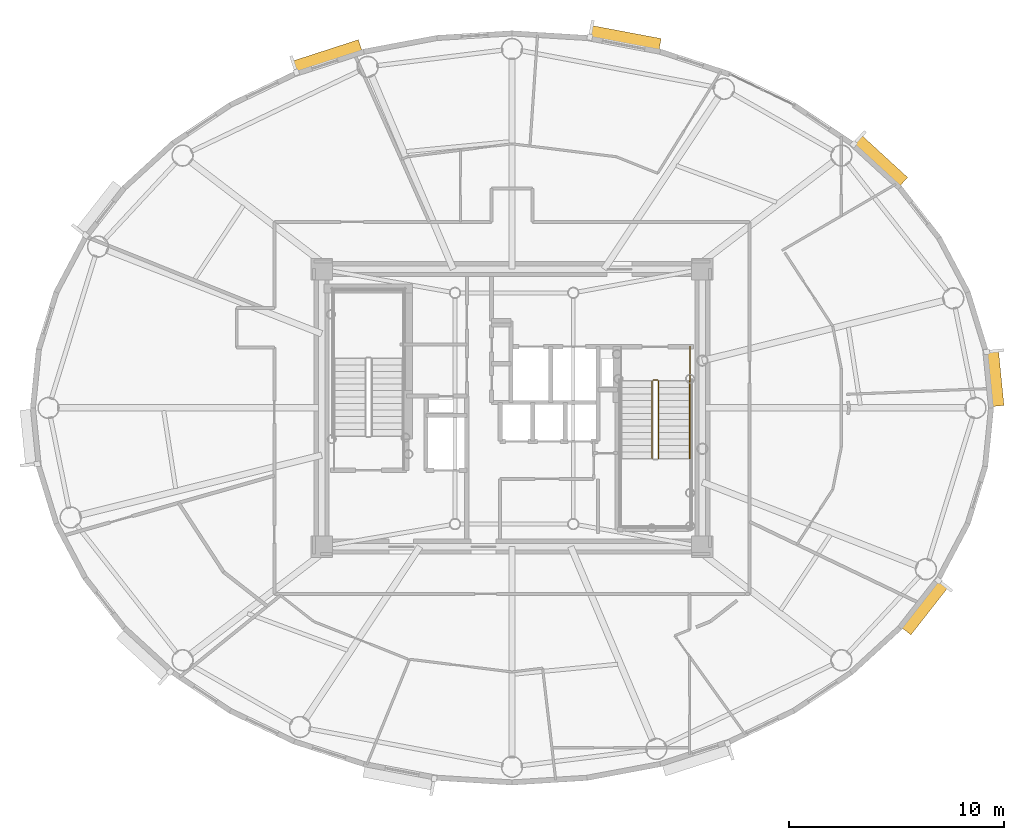
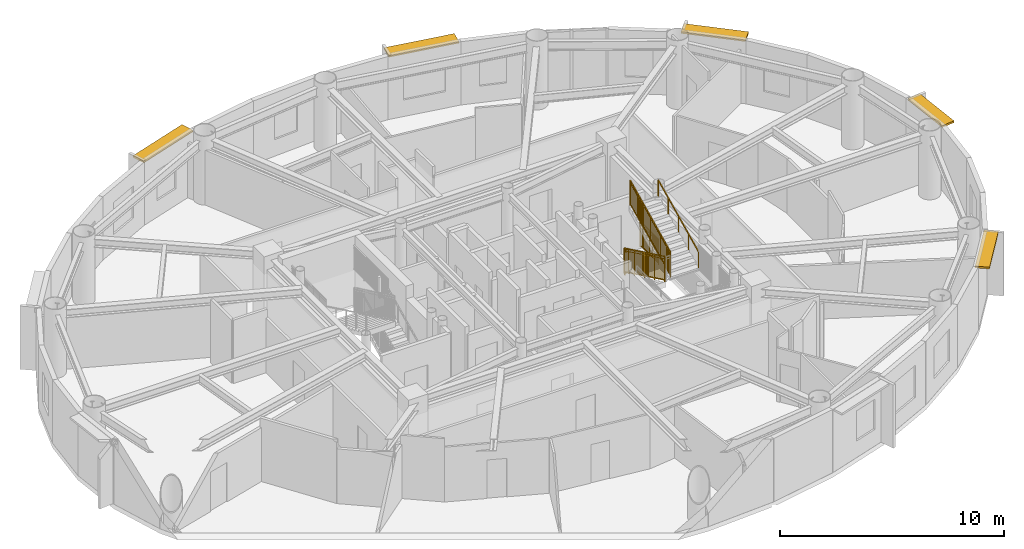
# One storey, part 17 of 17: 5 railings, 5 shading devices.
"""IFC4 building model written with IfcOpenShell, lengths in metres."""

from ifc_helpers import new_model, si_unit, direction, frame, origin, origin_2d, place, context, subcontext, project, spatial, rectangle, extrude, source, transform, mapped, material, layer, layer_set, type_object, element, save


model = new_model("IFC4")

# Units and contexts
model_context = context("Model", 3, precision=1e-05, world=origin(), true_north=direction((0.0, 1.0)))
body_context = subcontext(model_context, "Body", "Model", "MODEL_VIEW")
ifc_project = project(units=[si_unit("LENGTHUNIT", "METRE"), si_unit("AREAUNIT", "SQUARE_METRE"), si_unit("VOLUMEUNIT", "CUBIC_METRE"), si_unit("PLANEANGLEUNIT", "RADIAN"), si_unit("MASSUNIT", "GRAM", prefix="KILO")], contexts=[model_context])

# Site, building, storey
site_placement = place(None, origin())
site = spatial("IfcSite", under=ifc_project, at=site_placement, CompositionType="ELEMENT")
building_placement = place(site_placement, origin())
building = spatial("IfcBuilding", under=site, at=building_placement, Name="Linh Dai School and Residence Tower", CompositionType="ELEMENT")
storey_placement = place(building_placement, frame((0.0, 0.0, 314.25)))
storey = spatial("IfcBuildingStorey", under=building, at=storey_placement, Name="L78", CompositionType="ELEMENT", Elevation=314.25)

# Shading devices
ifc_material_1 = material(Name="Terracotta Ceramic Sunshade", Category="masonry")
ifc_layer = layer(ifc_material_1, 0.10009765625)
ifc_layer_set = layer_set([ifc_layer], Name="Terracotta Ceramic Sunshade")
shading_device_type = type_object("IfcShadingDeviceType", Name="SHD-TC-650", PredefinedType="USERDEFINED", material=ifc_layer_set)
shared_shape_1 = source(origin(), body_context, "Body", "SweptSolid", [
    extrude(rectangle(XDim=2.62353515625, YDim=0.64990234375, at=origin_2d()), origin(), (0.0, 0.0, 1.0), 0.10009765625),
])
shading_device_1_placement = place(storey_placement, frame((58.421875, 28.387939453125, 3.329833984375), z_axis=(0.0, 0.0, 1.0), x_axis=(0.100008034283, -0.994986629598, 0.0)))
element("IfcShadingDevice", 1, at=shading_device_1_placement, inside=storey, type_object=shading_device_type, Name="L78 Terracotta Horizontal Sunshade Band 01", ObjectType="SUNSHADE", PredefinedType="USERDEFINED", context=body_context, shape_type="MappedRepresentation", body=[
    mapped(shared_shape_1, transform((0.0, 0.0, 0.0), x_axis=(1.0, 0.0, 0.0), y_axis=(0.0, 1.0, 0.0), z_axis=(0.0, 0.0, 1.0), scale=1.0)),
])
shared_shape_2 = source(origin(), body_context, "Body", "SweptSolid", [
    extrude(rectangle(XDim=2.9541015625, YDim=0.64990234375, at=origin_2d()), origin(), (0.0, 0.0, 1.0), 0.10009765625),
])
shading_device_2_placement = place(storey_placement, frame((53.0888671875, 38.474609375, 3.329833984375), z_axis=(0.0, 0.0, 1.0), x_axis=(0.737105846394, -0.67577730889, 0.0)))
element("IfcShadingDevice", 2, at=shading_device_2_placement, inside=storey, type_object=shading_device_type, Name="L78 Terracotta Horizontal Sunshade Band 05", ObjectType="SUNSHADE", PredefinedType="USERDEFINED", context=body_context, shape_type="MappedRepresentation", body=[
    mapped(shared_shape_2, transform((0.0, 0.0, 0.0), x_axis=(1.0, 0.0, 0.0), y_axis=(0.0, 1.0, 0.0), z_axis=(0.0, 0.0, 1.0), scale=1.0)),
])
shared_shape_3 = source(origin(), body_context, "Body", "SweptSolid", [
    extrude(rectangle(XDim=3.323486328125, YDim=0.64990234375, at=origin_2d()), origin(), (0.0, 0.0, 1.0), 0.10009765625),
])
shading_device_3_placement = place(storey_placement, frame((41.24267578125, 44.160400390625, 3.329833984375), z_axis=(0.0, 0.0, 1.0), x_axis=(0.982785325002, -0.184751197452, 0.0)))
element("IfcShadingDevice", 3, at=shading_device_3_placement, inside=storey, type_object=shading_device_type, Name="L78 Terracotta Horizontal Sunshade Band 09", ObjectType="SUNSHADE", PredefinedType="USERDEFINED", context=body_context, shape_type="MappedRepresentation", body=[
    mapped(shared_shape_3, transform((0.0, 0.0, 0.0), x_axis=(1.0, 0.0, 0.0), y_axis=(0.0, 1.0, 0.0), z_axis=(0.0, 0.0, 1.0), scale=1.0)),
])
shared_shape_4 = source(origin(), body_context, "Body", "SweptSolid", [
    extrude(rectangle(XDim=3.26171875, YDim=0.64990234375, at=origin_2d()), origin(), (0.0, 0.0, 1.0), 0.10009765625),
])
shading_device_4_placement = place(storey_placement, frame((27.405029296875, 43.307373046875, 3.329833984375), z_axis=(0.0, 0.0, 1.0), x_axis=(0.951218243545, 0.308518805176, 0.0)))
element("IfcShadingDevice", 4, at=shading_device_4_placement, inside=storey, type_object=shading_device_type, Name="L78 Terracotta Horizontal Sunshade Band 13", ObjectType="SUNSHADE", PredefinedType="USERDEFINED", context=body_context, shape_type="MappedRepresentation", body=[
    mapped(shared_shape_4, transform((0.0, 0.0, 0.0), x_axis=(1.0, 0.0, 0.0), y_axis=(0.0, 1.0, 0.0), z_axis=(0.0, 0.0, 1.0), scale=1.0)),
])
shared_shape_5 = source(origin(), body_context, "Body", "SweptSolid", [
    extrude(rectangle(XDim=2.84033203125, YDim=0.64990234375, at=origin_2d()), origin(), (0.0, 0.0, 1.0), 0.10009765625),
])
shading_device_5_placement = place(storey_placement, frame((55.16650390625, 17.7646484375, 3.329833984375), z_axis=(0.0, 0.0, 1.0), x_axis=(-0.616310813471, -0.78750300393, 0.0)))
element("IfcShadingDevice", 5, at=shading_device_5_placement, inside=storey, type_object=shading_device_type, Name="L78 Terracotta Horizontal Sunshade Band 37", ObjectType="SUNSHADE", PredefinedType="USERDEFINED", context=body_context, shape_type="MappedRepresentation", body=[
    mapped(shared_shape_5, transform((0.0, 0.0, 0.0), x_axis=(1.0, 0.0, 0.0), y_axis=(0.0, 1.0, 0.0), z_axis=(0.0, 0.0, 1.0), scale=1.0)),
])

# Railings
ifc_material_2 = material(Name="Structural Steel S355JR", Category="steel")
railing_type_1 = type_object("IfcRailingType", Name="RL-ST-GUARD-1400", PredefinedType="GUARDRAIL", material=ifc_material_2)
shared_shape_6 = source(origin(), body_context, "Body", "SweptSolid", [
    extrude(rectangle(XDim=0.048095703125, YDim=0.048095703125, at=origin_2d()), frame((0.0, 0.0, 1.3759765625), z_axis=(0.0, 0.901262522062, 0.433273431364), x_axis=(-1.0, 0.0, 0.0)), (0.0, 0.0, 1.0), 3.994384765625),
    extrude(rectangle(XDim=0.048095703125, YDim=0.048095703125, at=origin_2d()), frame((0.0, 0.0, 0.10009765625), z_axis=(0.0, 0.901262522062, 0.433273431364), x_axis=(-1.0, 0.0, 0.0)), (0.0, 0.0, 1.0), 3.994384765625),
    extrude(rectangle(XDim=0.030029296875, YDim=0.030029296875, at=origin_2d()), frame((0.0, 0.0, 1.239990234375), z_axis=(0.0, 0.901262522062, 0.433273431364), x_axis=(-1.0, 0.0, 0.0)), (0.0, 0.0, 1.0), 3.994384765625),
    extrude(rectangle(XDim=0.02001953125, YDim=0.02001953125, at=origin_2d()), frame((0.0, 0.087890625, 0.142333984375)), (0.0, 0.0, 1.0), 1.251708984375),
    extrude(rectangle(XDim=0.02001953125, YDim=0.02001953125, at=origin_2d()), frame((0.0, 0.175537109375, 0.1845703125)), (0.0, 0.0, 1.0), 1.251708984375),
    extrude(rectangle(XDim=0.02001953125, YDim=0.02001953125, at=origin_2d()), frame((0.0, 0.263427734375, 0.226806640625)), (0.0, 0.0, 1.0), 1.251708984375),
    extrude(rectangle(XDim=0.02001953125, YDim=0.02001953125, at=origin_2d()), frame((0.0, 0.351318359375, 0.26904296875)), (0.0, 0.0, 1.0), 1.251708984375),
    extrude(rectangle(XDim=0.02001953125, YDim=0.02001953125, at=origin_2d()), frame((0.0, 0.43896484375, 0.311279296875)), (0.0, 0.0, 1.0), 1.251708984375),
    extrude(rectangle(XDim=0.02001953125, YDim=0.02001953125, at=origin_2d()), frame((0.0, 0.52685546875, 0.353271484375)), (0.0, 0.0, 1.0), 1.251708984375),
    extrude(rectangle(XDim=0.02001953125, YDim=0.02001953125, at=origin_2d()), frame((0.0, 0.61474609375, 0.3955078125)), (0.0, 0.0, 1.0), 1.251708984375),
    extrude(rectangle(XDim=0.02001953125, YDim=0.02001953125, at=origin_2d()), frame((0.0, 0.702392578125, 0.437744140625)), (0.0, 0.0, 1.0), 1.251708984375),
    extrude(rectangle(XDim=0.02001953125, YDim=0.02001953125, at=origin_2d()), frame((0.0, 0.790283203125, 0.47998046875)), (0.0, 0.0, 1.0), 1.251708984375),
    extrude(rectangle(XDim=0.02001953125, YDim=0.02001953125, at=origin_2d()), frame((0.0, 0.9658203125, 0.564453125)), (0.0, 0.0, 1.0), 1.251708984375),
    extrude(rectangle(XDim=0.02001953125, YDim=0.02001953125, at=origin_2d()), frame((0.0, 1.0537109375, 0.606689453125)), (0.0, 0.0, 1.0), 1.251708984375),
    extrude(rectangle(XDim=0.02001953125, YDim=0.02001953125, at=origin_2d()), frame((0.0, 1.1416015625, 0.64892578125)), (0.0, 0.0, 1.0), 1.251708984375),
    extrude(rectangle(XDim=0.02001953125, YDim=0.02001953125, at=origin_2d()), frame((0.0, 1.229248046875, 0.691162109375)), (0.0, 0.0, 1.0), 1.251708984375),
    extrude(rectangle(XDim=0.02001953125, YDim=0.02001953125, at=origin_2d()), frame((0.0, 1.317138671875, 0.7333984375)), (0.0, 0.0, 1.0), 1.251708984375),
    extrude(rectangle(XDim=0.02001953125, YDim=0.02001953125, at=origin_2d()), frame((0.0, 1.405029296875, 0.775390625)), (0.0, 0.0, 1.0), 1.251708984375),
    extrude(rectangle(XDim=0.02001953125, YDim=0.02001953125, at=origin_2d()), frame((0.0, 1.49267578125, 0.817626953125)), (0.0, 0.0, 1.0), 1.251708984375),
    extrude(rectangle(XDim=0.02001953125, YDim=0.02001953125, at=origin_2d()), frame((0.0, 1.58056640625, 0.85986328125)), (0.0, 0.0, 1.0), 1.251708984375),
    extrude(rectangle(XDim=0.02001953125, YDim=0.02001953125, at=origin_2d()), frame((0.0, 1.66845703125, 0.902099609375)), (0.0, 0.0, 1.0), 1.251708984375),
    extrude(rectangle(XDim=0.02001953125, YDim=0.02001953125, at=origin_2d()), frame((0.0, 1.756103515625, 0.9443359375)), (0.0, 0.0, 1.0), 1.251708984375),
    extrude(rectangle(XDim=0.02001953125, YDim=0.02001953125, at=origin_2d()), frame((0.0, 1.843994140625, 0.986572265625)), (0.0, 0.0, 1.0), 1.251708984375),
    extrude(rectangle(XDim=0.02001953125, YDim=0.02001953125, at=origin_2d()), frame((0.0, 1.931640625, 1.02880859375)), (0.0, 0.0, 1.0), 1.251708984375),
    extrude(rectangle(XDim=0.02001953125, YDim=0.02001953125, at=origin_2d()), frame((0.0, 2.01953125, 1.071044921875)), (0.0, 0.0, 1.0), 1.251708984375),
    extrude(rectangle(XDim=0.02001953125, YDim=0.02001953125, at=origin_2d()), frame((0.0, 2.107421875, 1.11328125)), (0.0, 0.0, 1.0), 1.251708984375),
    extrude(rectangle(XDim=0.02001953125, YDim=0.02001953125, at=origin_2d()), frame((0.0, 2.195068359375, 1.155517578125)), (0.0, 0.0, 1.0), 1.251708984375),
    extrude(rectangle(XDim=0.02001953125, YDim=0.02001953125, at=origin_2d()), frame((0.0, 2.282958984375, 1.197509765625)), (0.0, 0.0, 1.0), 1.251708984375),
    extrude(rectangle(XDim=0.02001953125, YDim=0.02001953125, at=origin_2d()), frame((0.0, 2.370849609375, 1.23974609375)), (0.0, 0.0, 1.0), 1.251708984375),
    extrude(rectangle(XDim=0.02001953125, YDim=0.02001953125, at=origin_2d()), frame((0.0, 2.45849609375, 1.281982421875)), (0.0, 0.0, 1.0), 1.251708984375),
    extrude(rectangle(XDim=0.02001953125, YDim=0.02001953125, at=origin_2d()), frame((0.0, 2.54638671875, 1.32421875)), (0.0, 0.0, 1.0), 1.251708984375),
    extrude(rectangle(XDim=0.02001953125, YDim=0.02001953125, at=origin_2d()), frame((0.0, 2.63427734375, 1.366455078125)), (0.0, 0.0, 1.0), 1.251708984375),
    extrude(rectangle(XDim=0.02001953125, YDim=0.02001953125, at=origin_2d()), frame((0.0, 2.809814453125, 1.450927734375)), (0.0, 0.0, 1.0), 1.251708984375),
    extrude(rectangle(XDim=0.02001953125, YDim=0.02001953125, at=origin_2d()), frame((0.0, 2.897705078125, 1.4931640625)), (0.0, 0.0, 1.0), 1.251708984375),
    extrude(rectangle(XDim=0.02001953125, YDim=0.02001953125, at=origin_2d()), frame((0.0, 2.9853515625, 1.535400390625)), (0.0, 0.0, 1.0), 1.251708984375),
    extrude(rectangle(XDim=0.02001953125, YDim=0.02001953125, at=origin_2d()), frame((0.0, 3.0732421875, 1.57763671875)), (0.0, 0.0, 1.0), 1.251708984375),
    extrude(rectangle(XDim=0.02001953125, YDim=0.02001953125, at=origin_2d()), frame((0.0, 3.1611328125, 1.61962890625)), (0.0, 0.0, 1.0), 1.251708984375),
    extrude(rectangle(XDim=0.02001953125, YDim=0.02001953125, at=origin_2d()), frame((0.0, 3.248779296875, 1.661865234375)), (0.0, 0.0, 1.0), 1.251708984375),
    extrude(rectangle(XDim=0.02001953125, YDim=0.02001953125, at=origin_2d()), frame((0.0, 3.336669921875, 1.7041015625)), (0.0, 0.0, 1.0), 1.251708984375),
    extrude(rectangle(XDim=0.02001953125, YDim=0.02001953125, at=origin_2d()), frame((0.0, 3.424560546875, 1.746337890625)), (0.0, 0.0, 1.0), 1.251708984375),
    extrude(rectangle(XDim=0.02001953125, YDim=0.02001953125, at=origin_2d()), frame((0.0, 3.51220703125, 1.78857421875)), (0.0, 0.0, 1.0), 1.251708984375),
    extrude(rectangle(XDim=0.0419921875, YDim=0.0419921875, at=origin_2d()), origin(), (0.0, 0.0, 1.0), 1.3759765625),
    extrude(rectangle(XDim=0.0419921875, YDim=0.0419921875, at=origin_2d()), frame((0.0, 0.89990234375, 0.4326171875)), (0.0, 0.0, 1.0), 1.3759765625),
    extrude(rectangle(XDim=0.0419921875, YDim=0.0419921875, at=origin_2d()), frame((0.0, 1.800048828125, 0.865234375)), (0.0, 0.0, 1.0), 1.3759765625),
    extrude(rectangle(XDim=0.0419921875, YDim=0.0419921875, at=origin_2d()), frame((0.0, 2.7001953125, 1.298095703125)), (0.0, 0.0, 1.0), 1.3759765625),
    extrude(rectangle(XDim=0.0419921875, YDim=0.0419921875, at=origin_2d()), frame((0.0, 3.60009765625, 1.730712890625)), (0.0, 0.0, 1.0), 1.3759765625),
])
railing_1_placement = place(storey_placement, frame((42.820068359375, 24.64990234375, 2.019287109375)))
element("IfcRailing", 6, at=railing_1_placement, inside=storey, type_object=railing_type_1, Name="L78 ST2 stair guard 6", PredefinedType="GUARDRAIL", context=body_context, shape_type="MappedRepresentation", body=[
    mapped(shared_shape_6, transform((0.0, 0.0, 0.0), x_axis=(1.0, 0.0, 0.0), y_axis=(0.0, 1.0, 0.0), z_axis=(0.0, 0.0, 1.0), scale=1.0)),
])
shared_shape_7 = source(origin(), body_context, "Body", "SweptSolid", [
    extrude(rectangle(XDim=0.048095703125, YDim=0.048095703125, at=origin_2d()), frame((0.0, 0.0, 1.3759765625), z_axis=(0.0, -0.901262522062, 0.433273431364), x_axis=(1.0, 0.0, 0.0)), (0.0, 0.0, 1.0), 3.994384765625),
    extrude(rectangle(XDim=0.048095703125, YDim=0.048095703125, at=origin_2d()), frame((0.0, 0.0, 0.10009765625), z_axis=(0.0, -0.901262522062, 0.433273431364), x_axis=(1.0, 0.0, 0.0)), (0.0, 0.0, 1.0), 3.994384765625),
    extrude(rectangle(XDim=0.030029296875, YDim=0.030029296875, at=origin_2d()), frame((0.0, 0.0, 1.239990234375), z_axis=(0.0, -0.901262522062, 0.433273431364), x_axis=(1.0, 0.0, 0.0)), (0.0, 0.0, 1.0), 3.994384765625),
    extrude(rectangle(XDim=0.02001953125, YDim=0.02001953125, at=origin_2d()), frame((0.0, -0.087890625, 0.142333984375)), (0.0, 0.0, 1.0), 1.251708984375),
    extrude(rectangle(XDim=0.02001953125, YDim=0.02001953125, at=origin_2d()), frame((0.0, -0.175537109375, 0.1845703125)), (0.0, 0.0, 1.0), 1.251708984375),
    extrude(rectangle(XDim=0.02001953125, YDim=0.02001953125, at=origin_2d()), frame((0.0, -0.263427734375, 0.226806640625)), (0.0, 0.0, 1.0), 1.251708984375),
    extrude(rectangle(XDim=0.02001953125, YDim=0.02001953125, at=origin_2d()), frame((0.0, -0.351318359375, 0.26904296875)), (0.0, 0.0, 1.0), 1.251708984375),
    extrude(rectangle(XDim=0.02001953125, YDim=0.02001953125, at=origin_2d()), frame((0.0, -0.43896484375, 0.311279296875)), (0.0, 0.0, 1.0), 1.251708984375),
    extrude(rectangle(XDim=0.02001953125, YDim=0.02001953125, at=origin_2d()), frame((0.0, -0.52685546875, 0.353271484375)), (0.0, 0.0, 1.0), 1.251708984375),
    extrude(rectangle(XDim=0.02001953125, YDim=0.02001953125, at=origin_2d()), frame((0.0, -0.61474609375, 0.3955078125)), (0.0, 0.0, 1.0), 1.251708984375),
    extrude(rectangle(XDim=0.02001953125, YDim=0.02001953125, at=origin_2d()), frame((0.0, -0.702392578125, 0.437744140625)), (0.0, 0.0, 1.0), 1.251708984375),
    extrude(rectangle(XDim=0.02001953125, YDim=0.02001953125, at=origin_2d()), frame((0.0, -0.790283203125, 0.47998046875)), (0.0, 0.0, 1.0), 1.251708984375),
    extrude(rectangle(XDim=0.02001953125, YDim=0.02001953125, at=origin_2d()), frame((0.0, -0.9658203125, 0.564453125)), (0.0, 0.0, 1.0), 1.251708984375),
    extrude(rectangle(XDim=0.02001953125, YDim=0.02001953125, at=origin_2d()), frame((0.0, -1.0537109375, 0.606689453125)), (0.0, 0.0, 1.0), 1.251708984375),
    extrude(rectangle(XDim=0.02001953125, YDim=0.02001953125, at=origin_2d()), frame((0.0, -1.1416015625, 0.64892578125)), (0.0, 0.0, 1.0), 1.251708984375),
    extrude(rectangle(XDim=0.02001953125, YDim=0.02001953125, at=origin_2d()), frame((0.0, -1.229248046875, 0.691162109375)), (0.0, 0.0, 1.0), 1.251708984375),
    extrude(rectangle(XDim=0.02001953125, YDim=0.02001953125, at=origin_2d()), frame((0.0, -1.317138671875, 0.7333984375)), (0.0, 0.0, 1.0), 1.251708984375),
    extrude(rectangle(XDim=0.02001953125, YDim=0.02001953125, at=origin_2d()), frame((0.0, -1.405029296875, 0.775390625)), (0.0, 0.0, 1.0), 1.251708984375),
    extrude(rectangle(XDim=0.02001953125, YDim=0.02001953125, at=origin_2d()), frame((0.0, -1.49267578125, 0.817626953125)), (0.0, 0.0, 1.0), 1.251708984375),
    extrude(rectangle(XDim=0.02001953125, YDim=0.02001953125, at=origin_2d()), frame((0.0, -1.58056640625, 0.85986328125)), (0.0, 0.0, 1.0), 1.251708984375),
    extrude(rectangle(XDim=0.02001953125, YDim=0.02001953125, at=origin_2d()), frame((0.0, -1.66845703125, 0.902099609375)), (0.0, 0.0, 1.0), 1.251708984375),
    extrude(rectangle(XDim=0.02001953125, YDim=0.02001953125, at=origin_2d()), frame((0.0, -1.756103515625, 0.9443359375)), (0.0, 0.0, 1.0), 1.251708984375),
    extrude(rectangle(XDim=0.02001953125, YDim=0.02001953125, at=origin_2d()), frame((0.0, -1.843994140625, 0.986572265625)), (0.0, 0.0, 1.0), 1.251708984375),
    extrude(rectangle(XDim=0.02001953125, YDim=0.02001953125, at=origin_2d()), frame((0.0, -1.931640625, 1.02880859375)), (0.0, 0.0, 1.0), 1.251708984375),
    extrude(rectangle(XDim=0.02001953125, YDim=0.02001953125, at=origin_2d()), frame((0.0, -2.01953125, 1.071044921875)), (0.0, 0.0, 1.0), 1.251708984375),
    extrude(rectangle(XDim=0.02001953125, YDim=0.02001953125, at=origin_2d()), frame((0.0, -2.107421875, 1.11328125)), (0.0, 0.0, 1.0), 1.251708984375),
    extrude(rectangle(XDim=0.02001953125, YDim=0.02001953125, at=origin_2d()), frame((0.0, -2.195068359375, 1.155517578125)), (0.0, 0.0, 1.0), 1.251708984375),
    extrude(rectangle(XDim=0.02001953125, YDim=0.02001953125, at=origin_2d()), frame((0.0, -2.282958984375, 1.197509765625)), (0.0, 0.0, 1.0), 1.251708984375),
    extrude(rectangle(XDim=0.02001953125, YDim=0.02001953125, at=origin_2d()), frame((0.0, -2.370849609375, 1.23974609375)), (0.0, 0.0, 1.0), 1.251708984375),
    extrude(rectangle(XDim=0.02001953125, YDim=0.02001953125, at=origin_2d()), frame((0.0, -2.45849609375, 1.281982421875)), (0.0, 0.0, 1.0), 1.251708984375),
    extrude(rectangle(XDim=0.02001953125, YDim=0.02001953125, at=origin_2d()), frame((0.0, -2.54638671875, 1.32421875)), (0.0, 0.0, 1.0), 1.251708984375),
    extrude(rectangle(XDim=0.02001953125, YDim=0.02001953125, at=origin_2d()), frame((0.0, -2.63427734375, 1.366455078125)), (0.0, 0.0, 1.0), 1.251708984375),
    extrude(rectangle(XDim=0.02001953125, YDim=0.02001953125, at=origin_2d()), frame((0.0, -2.809814453125, 1.450927734375)), (0.0, 0.0, 1.0), 1.251708984375),
    extrude(rectangle(XDim=0.02001953125, YDim=0.02001953125, at=origin_2d()), frame((0.0, -2.897705078125, 1.4931640625)), (0.0, 0.0, 1.0), 1.251708984375),
    extrude(rectangle(XDim=0.02001953125, YDim=0.02001953125, at=origin_2d()), frame((0.0, -2.9853515625, 1.535400390625)), (0.0, 0.0, 1.0), 1.251708984375),
    extrude(rectangle(XDim=0.02001953125, YDim=0.02001953125, at=origin_2d()), frame((0.0, -3.0732421875, 1.57763671875)), (0.0, 0.0, 1.0), 1.251708984375),
    extrude(rectangle(XDim=0.02001953125, YDim=0.02001953125, at=origin_2d()), frame((0.0, -3.1611328125, 1.61962890625)), (0.0, 0.0, 1.0), 1.251708984375),
    extrude(rectangle(XDim=0.02001953125, YDim=0.02001953125, at=origin_2d()), frame((0.0, -3.248779296875, 1.661865234375)), (0.0, 0.0, 1.0), 1.251708984375),
    extrude(rectangle(XDim=0.02001953125, YDim=0.02001953125, at=origin_2d()), frame((0.0, -3.336669921875, 1.7041015625)), (0.0, 0.0, 1.0), 1.251708984375),
    extrude(rectangle(XDim=0.02001953125, YDim=0.02001953125, at=origin_2d()), frame((0.0, -3.424560546875, 1.746337890625)), (0.0, 0.0, 1.0), 1.251708984375),
    extrude(rectangle(XDim=0.02001953125, YDim=0.02001953125, at=origin_2d()), frame((0.0, -3.51220703125, 1.78857421875)), (0.0, 0.0, 1.0), 1.251708984375),
    extrude(rectangle(XDim=0.0419921875, YDim=0.0419921875, at=origin_2d()), origin(), (0.0, 0.0, 1.0), 1.3759765625),
    extrude(rectangle(XDim=0.0419921875, YDim=0.0419921875, at=origin_2d()), frame((0.0, -0.89990234375, 0.4326171875)), (0.0, 0.0, 1.0), 1.3759765625),
    extrude(rectangle(XDim=0.0419921875, YDim=0.0419921875, at=origin_2d()), frame((0.0, -1.800048828125, 0.865234375)), (0.0, 0.0, 1.0), 1.3759765625),
    extrude(rectangle(XDim=0.0419921875, YDim=0.0419921875, at=origin_2d()), frame((0.0, -2.7001953125, 1.298095703125)), (0.0, 0.0, 1.0), 1.3759765625),
    extrude(rectangle(XDim=0.0419921875, YDim=0.0419921875, at=origin_2d()), frame((0.0, -3.60009765625, 1.730712890625)), (0.0, 0.0, 1.0), 1.3759765625),
])
railing_2_placement = place(storey_placement, frame((42.52001953125, 28.25, 0.144287109375)))
element("IfcRailing", 7, at=railing_2_placement, inside=storey, type_object=railing_type_1, Name="L78 ST2 stair guard 1", PredefinedType="GUARDRAIL", context=body_context, shape_type="MappedRepresentation", body=[
    mapped(shared_shape_7, transform((0.0, 0.0, 0.0), x_axis=(1.0, 0.0, 0.0), y_axis=(0.0, 1.0, 0.0), z_axis=(0.0, 0.0, 1.0), scale=1.0)),
])
ifc_material_3 = material(Name="Brushed Stainless Steel Handrail", Category="steel")
railing_type_2 = type_object("IfcRailingType", Name="RL-ST-HANDRAIL-900", PredefinedType="HANDRAIL", material=ifc_material_3)
shared_shape_8 = source(origin(), body_context, "Body", "SweptSolid", [
    extrude(rectangle(XDim=0.048095703125, YDim=0.048095703125, at=origin_2d()), frame((0.0, 0.0, 0.8759765625), z_axis=(0.0, 0.901262522062, 0.433273431364), x_axis=(-1.0, 0.0, 0.0)), (0.0, 0.0, 1.0), 3.994384765625),
    extrude(rectangle(XDim=0.0419921875, YDim=0.0419921875, at=origin_2d()), origin(), (0.0, 0.0, 1.0), 0.8759765625),
    extrude(rectangle(XDim=0.0419921875, YDim=0.0419921875, at=origin_2d()), frame((0.0, 0.89990234375, 0.4326171875)), (0.0, 0.0, 1.0), 0.8759765625),
    extrude(rectangle(XDim=0.0419921875, YDim=0.0419921875, at=origin_2d()), frame((0.0, 1.800048828125, 0.865234375)), (0.0, 0.0, 1.0), 0.8759765625),
    extrude(rectangle(XDim=0.0419921875, YDim=0.0419921875, at=origin_2d()), frame((0.0, 2.7001953125, 1.298095703125)), (0.0, 0.0, 1.0), 0.8759765625),
    extrude(rectangle(XDim=0.0419921875, YDim=0.0419921875, at=origin_2d()), frame((0.0, 3.60009765625, 1.730712890625)), (0.0, 0.0, 1.0), 0.8759765625),
])
railing_3_placement = place(storey_placement, frame((44.27001953125, 24.64990234375, 2.019287109375)))
element("IfcRailing", 8, at=railing_3_placement, inside=storey, type_object=railing_type_2, Name="L78 ST2 stair handrail 2", PredefinedType="HANDRAIL", context=body_context, shape_type="MappedRepresentation", body=[
    mapped(shared_shape_8, transform((0.0, 0.0, 0.0), x_axis=(1.0, 0.0, 0.0), y_axis=(0.0, 1.0, 0.0), z_axis=(0.0, 0.0, 1.0), scale=1.0)),
])
shared_shape_9 = source(origin(), body_context, "Body", "SweptSolid", [
    extrude(rectangle(XDim=0.048095703125, YDim=0.048095703125, at=origin_2d()), frame((0.0, 0.0, 1.3759765625), z_axis=(1.0, 0.0, 0.0), x_axis=(0.0, 1.0, 0.0)), (0.0, 0.0, 1.0), 0.199951171875),
    extrude(rectangle(XDim=0.048095703125, YDim=0.048095703125, at=origin_2d()), frame((0.0, 0.0, 0.10009765625), z_axis=(1.0, 0.0, 0.0), x_axis=(0.0, 1.0, 0.0)), (0.0, 0.0, 1.0), 0.199951171875),
    extrude(rectangle(XDim=0.030029296875, YDim=0.030029296875, at=origin_2d()), frame((0.0, 0.0, 1.239990234375), z_axis=(1.0, 0.0, 0.0), x_axis=(0.0, 1.0, 0.0)), (0.0, 0.0, 1.0), 0.199951171875),
    extrude(rectangle(XDim=0.0419921875, YDim=0.0419921875, at=origin_2d()), origin(), (0.0, 0.0, 1.0), 1.3759765625),
    extrude(rectangle(XDim=0.0419921875, YDim=0.0419921875, at=origin_2d()), frame((0.199951171875, 0.0, 0.0)), (0.0, 0.0, 1.0), 1.3759765625),
])
railing_4_placement = place(storey_placement, frame((42.570068359375, 28.300048828125, 0.0)))
element("IfcRailing", 9, at=railing_4_placement, inside=storey, type_object=railing_type_1, Name="L78 ST2 stair guard 7", PredefinedType="GUARDRAIL", context=body_context, shape_type="MappedRepresentation", body=[
    mapped(shared_shape_9, transform((0.0, 0.0, 0.0), x_axis=(1.0, 0.0, 0.0), y_axis=(0.0, 1.0, 0.0), z_axis=(0.0, 0.0, 1.0), scale=1.0)),
])
shared_shape_10 = source(origin(), body_context, "Body", "SweptSolid", [
    extrude(rectangle(XDim=0.048095703125, YDim=0.048095703125, at=origin_2d()), frame((0.0, 0.0, 1.3759765625), z_axis=(0.0, -1.0, 0.0), x_axis=(1.0, 0.0, 0.0)), (0.0, 0.0, 1.0), 1.60009765625),
    extrude(rectangle(XDim=0.048095703125, YDim=0.048095703125, at=origin_2d()), frame((0.0, 0.0, 0.10009765625), z_axis=(0.0, -1.0, 0.0), x_axis=(1.0, 0.0, 0.0)), (0.0, 0.0, 1.0), 1.60009765625),
    extrude(rectangle(XDim=0.030029296875, YDim=0.030029296875, at=origin_2d()), frame((0.0, 0.0, 1.239990234375), z_axis=(0.0, -1.0, 0.0), x_axis=(1.0, 0.0, 0.0)), (0.0, 0.0, 1.0), 1.60009765625),
    extrude(rectangle(XDim=0.02001953125, YDim=0.02001953125, at=origin_2d()), frame((0.0, -0.09423828125, 0.10009765625)), (0.0, 0.0, 1.0), 1.251708984375),
    extrude(rectangle(XDim=0.02001953125, YDim=0.02001953125, at=origin_2d()), frame((0.0, -0.188232421875, 0.10009765625)), (0.0, 0.0, 1.0), 1.251708984375),
    extrude(rectangle(XDim=0.02001953125, YDim=0.02001953125, at=origin_2d()), frame((0.0, -0.282470703125, 0.10009765625)), (0.0, 0.0, 1.0), 1.251708984375),
    extrude(rectangle(XDim=0.02001953125, YDim=0.02001953125, at=origin_2d()), frame((0.0, -0.37646484375, 0.10009765625)), (0.0, 0.0, 1.0), 1.251708984375),
    extrude(rectangle(XDim=0.02001953125, YDim=0.02001953125, at=origin_2d()), frame((0.0, -0.470703125, 0.10009765625)), (0.0, 0.0, 1.0), 1.251708984375),
    extrude(rectangle(XDim=0.02001953125, YDim=0.02001953125, at=origin_2d()), frame((0.0, -0.564697265625, 0.10009765625)), (0.0, 0.0, 1.0), 1.251708984375),
    extrude(rectangle(XDim=0.02001953125, YDim=0.02001953125, at=origin_2d()), frame((0.0, -0.658935546875, 0.10009765625)), (0.0, 0.0, 1.0), 1.251708984375),
    extrude(rectangle(XDim=0.02001953125, YDim=0.02001953125, at=origin_2d()), frame((0.0, -0.7529296875, 0.10009765625)), (0.0, 0.0, 1.0), 1.251708984375),
    extrude(rectangle(XDim=0.02001953125, YDim=0.02001953125, at=origin_2d()), frame((0.0, -0.84716796875, 0.10009765625)), (0.0, 0.0, 1.0), 1.251708984375),
    extrude(rectangle(XDim=0.02001953125, YDim=0.02001953125, at=origin_2d()), frame((0.0, -0.941162109375, 0.10009765625)), (0.0, 0.0, 1.0), 1.251708984375),
    extrude(rectangle(XDim=0.02001953125, YDim=0.02001953125, at=origin_2d()), frame((0.0, -1.035400390625, 0.10009765625)), (0.0, 0.0, 1.0), 1.251708984375),
    extrude(rectangle(XDim=0.02001953125, YDim=0.02001953125, at=origin_2d()), frame((0.0, -1.12939453125, 0.10009765625)), (0.0, 0.0, 1.0), 1.251708984375),
    extrude(rectangle(XDim=0.02001953125, YDim=0.02001953125, at=origin_2d()), frame((0.0, -1.2236328125, 0.10009765625)), (0.0, 0.0, 1.0), 1.251708984375),
    extrude(rectangle(XDim=0.02001953125, YDim=0.02001953125, at=origin_2d()), frame((0.0, -1.317626953125, 0.10009765625)), (0.0, 0.0, 1.0), 1.251708984375),
    extrude(rectangle(XDim=0.02001953125, YDim=0.02001953125, at=origin_2d()), frame((0.0, -1.411865234375, 0.10009765625)), (0.0, 0.0, 1.0), 1.251708984375),
    extrude(rectangle(XDim=0.02001953125, YDim=0.02001953125, at=origin_2d()), frame((0.0, -1.505859375, 0.10009765625)), (0.0, 0.0, 1.0), 1.251708984375),
    extrude(rectangle(XDim=0.0419921875, YDim=0.0419921875, at=origin_2d()), origin(), (0.0, 0.0, 1.0), 1.3759765625),
    extrude(rectangle(XDim=0.0419921875, YDim=0.0419921875, at=origin_2d()), frame((0.0, -0.800048828125, 0.0)), (0.0, 0.0, 1.0), 1.3759765625),
    extrude(rectangle(XDim=0.0419921875, YDim=0.0419921875, at=origin_2d()), frame((0.0, -1.60009765625, 0.0)), (0.0, 0.0, 1.0), 1.3759765625),
])
railing_5_placement = place(storey_placement, frame((44.27001953125, 29.85009765625, 0.0)))
element("IfcRailing", 10, at=railing_5_placement, inside=storey, type_object=railing_type_1, Name="L78 ST2 stair guard 9", PredefinedType="GUARDRAIL", context=body_context, shape_type="MappedRepresentation", body=[
    mapped(shared_shape_10, transform((0.0, 0.0, 0.0), x_axis=(1.0, 0.0, 0.0), y_axis=(0.0, 1.0, 0.0), z_axis=(0.0, 0.0, 1.0), scale=1.0)),
])

save(model, "model.ifc")
